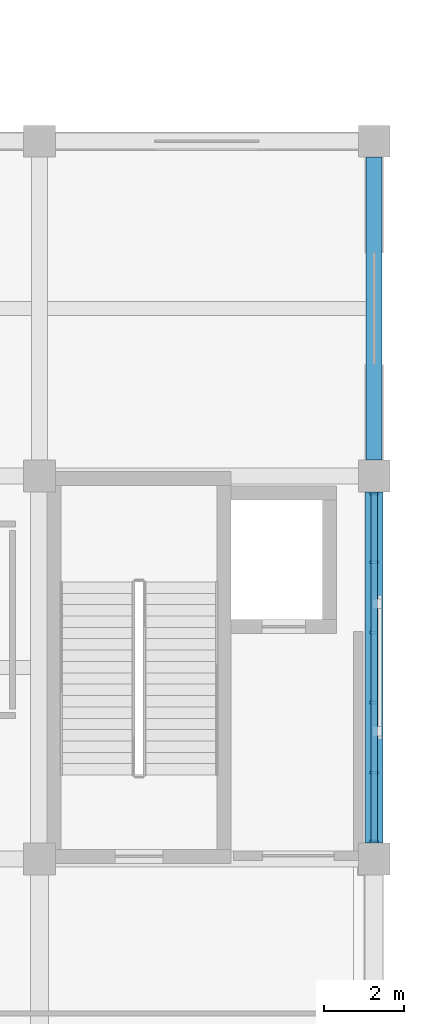
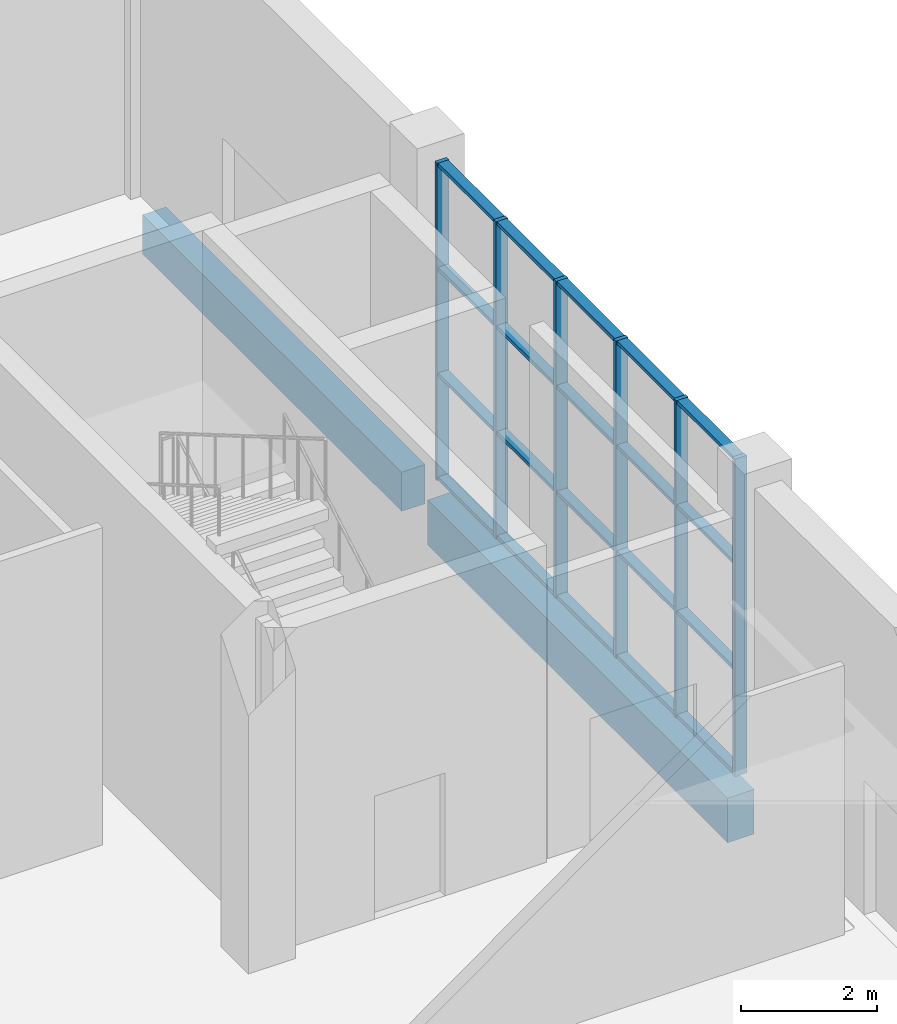
# One storey, part 37 of 84: 10 members, 2 beams, 1 element without a shape of its own.
"""IFC4 building model written with IfcOpenShell, lengths in metres."""

from ifc_helpers import new_model, si_unit, direction, frame, origin, origin_2d, place, context, subcontext, project, spatial, rectangle, extrude, material, material_profile, profile_set, type_object, element, aggregate, save


model = new_model("IFC4")

# Units and contexts
model_context = context("Model", 3, precision=1e-05, world=origin(), true_north=direction((0.0, 1.0)))
body_context = subcontext(model_context, "Body", "Model", "MODEL_VIEW")
ifc_project = project(units=[si_unit("LENGTHUNIT", "METRE"), si_unit("AREAUNIT", "SQUARE_METRE"), si_unit("VOLUMEUNIT", "CUBIC_METRE"), si_unit("PLANEANGLEUNIT", "RADIAN"), si_unit("MASSUNIT", "GRAM", prefix="KILO")], contexts=[model_context])

# Site, building, storey
site_placement = place(None, origin())
site = spatial("IfcSite", under=ifc_project, at=site_placement, CompositionType="ELEMENT")
building_placement = place(site_placement, origin())
building = spatial("IfcBuilding", under=site, at=building_placement, Name="Shalvenor Court Art Gallery", CompositionType="ELEMENT")
storey_placement = place(building_placement, origin())
storey = spatial("IfcBuildingStorey", under=building, at=storey_placement, Name="L00", CompositionType="ELEMENT", Elevation=0.0)

# Beams
ifc_material_1 = material(Name="Concrete C40/50", Category="concrete")
ifc_material_profile_1 = material_profile(ifc_material_1, rectangle(XDim=0.449951171875, YDim=0.800048828125, at=origin_2d()), Name="RC 450x800")
ifc_profile_set_1 = profile_set([ifc_material_profile_1], Name="Concrete C40/50")
beam_type_1 = type_object("IfcBeamType", Name="B-03", PredefinedType="BEAM", material=ifc_profile_set_1)
beam_1_placement = place(storey_placement, frame((176.39990234375, 79.60009765625, -0.739990234375), z_axis=(0.0, 1.0, 0.0), x_axis=(-1.0, 0.0, 0.0)))
element("IfcBeam", 1, at=beam_1_placement, inside=storey, type_object=beam_type_1, Name="L00 Girder BM-L00-B-03-0137", PredefinedType="BEAM", context=body_context, shape_type="SweptSolid", body=[
    extrude(rectangle(XDim=0.449951171875, YDim=0.800048828125, at=origin_2d()), origin(), (0.0, 0.0, 1.0), 8.7998046875),
])
ifc_material_2 = material(Name="Concrete C40/50", Category="concrete")
ifc_material_profile_2 = material_profile(ifc_material_2, rectangle(XDim=0.39990234375, YDim=0.699951171875, at=origin_2d()), Name="RC 400x700")
ifc_profile_set_2 = profile_set([ifc_material_profile_2], Name="Concrete C40/50")
beam_type_2 = type_object("IfcBeamType", Name="B-05", PredefinedType="BEAM", material=ifc_profile_set_2)
beam_2_placement = place(storey_placement, frame((176.39990234375, 89.199951171875, -0.68994140625), z_axis=(0.0, 1.0, 0.0), x_axis=(-1.0, 0.0, 0.0)))
element("IfcBeam", 2, at=beam_2_placement, inside=storey, type_object=beam_type_2, Name="L00 Girder BM-L00-B-05-0138", PredefinedType="BEAM", context=body_context, shape_type="SweptSolid", body=[
    extrude(rectangle(XDim=0.39990234375, YDim=0.699951171875, at=origin_2d()), origin(), (0.0, 0.0, 1.0), 7.60009765625),
])

# Curtain wall, members
ifc_material_3 = material(Name="Anodised aluminium and low-iron glass curtain wall", Category="aluminium")
curtain_wall_type = type_object("IfcCurtainWallType", Name="CW-5x3-88-57-222", PredefinedType="USERDEFINED", material=ifc_material_3)
curtain_wall_placement = place(storey_placement, origin())
curtain_wall = element("IfcCurtainWall", 3, at=curtain_wall_placement, inside=storey, type_object=curtain_wall_type, Name="L00 V1 Curtain Wall CW-L00-001", ObjectType="CURTAIN WALL", PredefinedType="USERDEFINED")
ifc_material_4 = material(Name="Anodised aluminium mullion", Category="aluminium")
ifc_material_profile_3 = material_profile(ifc_material_4, rectangle(XDim=0.070068359375, YDim=0.199951171875, at=origin_2d()), Name="CWM-02")
ifc_profile_set_3 = profile_set([ifc_material_profile_3], Name="Anodised aluminium mullion")
member_type_1 = type_object("IfcMemberType", Name="CWM-02", PredefinedType="MULLION", material=ifc_profile_set_3)
member_1_placement = place(storey_placement, frame((176.39990234375, 88.364990234375, 0.0), z_axis=(0.0, 0.0, 1.0), x_axis=(0.0, -1.0, 0.0)))
member_1 = element("IfcMember", 4, at=member_1_placement, type_object=member_type_1, Name="CW-5x3-88-57-222 mullion 1", PredefinedType="MULLION", context=body_context, shape_type="SweptSolid", body=[
    extrude(rectangle(XDim=0.070068359375, YDim=0.199951171875, at=origin_2d()), origin(), (0.0, 0.0, 1.0), 5.679931640625),
])
member_2_placement = place(storey_placement, frame((176.39990234375, 86.639892578125, 0.0), z_axis=(0.0, 0.0, 1.0), x_axis=(0.0, -1.0, 0.0)))
member_2 = element("IfcMember", 5, at=member_2_placement, type_object=member_type_1, Name="CW-5x3-88-57-222 mullion 2", PredefinedType="MULLION", context=body_context, shape_type="SweptSolid", body=[
    extrude(rectangle(XDim=0.070068359375, YDim=0.199951171875, at=origin_2d()), origin(), (0.0, 0.0, 1.0), 5.679931640625),
])
member_3_placement = place(storey_placement, frame((176.39990234375, 84.8798828125, 0.0), z_axis=(0.0, 0.0, 1.0), x_axis=(0.0, -1.0, 0.0)))
member_3 = element("IfcMember", 6, at=member_3_placement, type_object=member_type_1, Name="CW-5x3-88-57-222 mullion 3", PredefinedType="MULLION", context=body_context, shape_type="SweptSolid", body=[
    extrude(rectangle(XDim=0.070068359375, YDim=0.199951171875, at=origin_2d()), origin(), (0.0, 0.0, 1.0), 5.679931640625),
])
member_4_placement = place(storey_placement, frame((176.39990234375, 83.1201171875, 0.0), z_axis=(0.0, 0.0, 1.0), x_axis=(0.0, -1.0, 0.0)))
member_4 = element("IfcMember", 7, at=member_4_placement, type_object=member_type_1, Name="CW-5x3-88-57-222 mullion 4", PredefinedType="MULLION", context=body_context, shape_type="SweptSolid", body=[
    extrude(rectangle(XDim=0.070068359375, YDim=0.199951171875, at=origin_2d()), origin(), (0.0, 0.0, 1.0), 5.679931640625),
])
member_5_placement = place(storey_placement, frame((176.39990234375, 81.360107421875, 0.0), z_axis=(0.0, 0.0, 1.0), x_axis=(0.0, -1.0, 0.0)))
member_5 = element("IfcMember", 8, at=member_5_placement, type_object=member_type_1, Name="CW-5x3-88-57-222 mullion 5", PredefinedType="MULLION", context=body_context, shape_type="SweptSolid", body=[
    extrude(rectangle(XDim=0.070068359375, YDim=0.199951171875, at=origin_2d()), origin(), (0.0, 0.0, 1.0), 5.679931640625),
])
member_6_placement = place(storey_placement, frame((176.39990234375, 79.635009765625, 0.0), z_axis=(0.0, 0.0, 1.0), x_axis=(0.0, -1.0, 0.0)))
member_6 = element("IfcMember", 9, at=member_6_placement, type_object=member_type_1, Name="CW-5x3-88-57-222 mullion 6", PredefinedType="MULLION", context=body_context, shape_type="SweptSolid", body=[
    extrude(rectangle(XDim=0.070068359375, YDim=0.199951171875, at=origin_2d()), origin(), (0.0, 0.0, 1.0), 5.679931640625),
])
ifc_material_5 = material(Name="Anodised aluminium transom", Category="aluminium")
ifc_material_profile_4 = material_profile(ifc_material_5, rectangle(XDim=0.169921875, YDim=0.06494140625, at=origin_2d()), Name="CWT-02")
ifc_profile_set_4 = profile_set([ifc_material_profile_4], Name="Anodised aluminium transom")
member_type_2 = type_object("IfcMemberType", Name="CWT-02", PredefinedType="USERDEFINED", material=ifc_profile_set_4)
member_7_placement = place(storey_placement, frame((176.39990234375, 88.364990234375, 0.032470703125), z_axis=(0.0, -1.0, 0.0), x_axis=(1.0, 0.0, 0.0)))
member_7 = element("IfcMember", 10, at=member_7_placement, type_object=member_type_2, Name="CW-5x3-88-57-222 transom 1", ObjectType="TRANSOM", PredefinedType="USERDEFINED", context=body_context, shape_type="SweptSolid", body=[
    extrude(rectangle(XDim=0.169921875, YDim=0.06494140625, at=origin_2d()), origin(), (0.0, 0.0, 1.0), 8.72998046875),
])
member_8_placement = place(storey_placement, frame((176.39990234375, 88.364990234375, 1.893310546875), z_axis=(0.0, -1.0, 0.0), x_axis=(1.0, 0.0, 0.0)))
member_8 = element("IfcMember", 11, at=member_8_placement, type_object=member_type_2, Name="CW-5x3-88-57-222 transom 2", ObjectType="TRANSOM", PredefinedType="USERDEFINED", context=body_context, shape_type="SweptSolid", body=[
    extrude(rectangle(XDim=0.169921875, YDim=0.06494140625, at=origin_2d()), origin(), (0.0, 0.0, 1.0), 8.72998046875),
])
member_9_placement = place(storey_placement, frame((176.39990234375, 88.364990234375, 3.78662109375), z_axis=(0.0, -1.0, 0.0), x_axis=(1.0, 0.0, 0.0)))
member_9 = element("IfcMember", 12, at=member_9_placement, type_object=member_type_2, Name="CW-5x3-88-57-222 transom 3", ObjectType="TRANSOM", PredefinedType="USERDEFINED", context=body_context, shape_type="SweptSolid", body=[
    extrude(rectangle(XDim=0.169921875, YDim=0.06494140625, at=origin_2d()), origin(), (0.0, 0.0, 1.0), 8.72998046875),
])
member_10_placement = place(storey_placement, frame((176.39990234375, 88.364990234375, 5.6474609375), z_axis=(0.0, -1.0, 0.0), x_axis=(1.0, 0.0, 0.0)))
member_10 = element("IfcMember", 13, at=member_10_placement, type_object=member_type_2, Name="CW-5x3-88-57-222 transom 4", ObjectType="TRANSOM", PredefinedType="USERDEFINED", context=body_context, shape_type="SweptSolid", body=[
    extrude(rectangle(XDim=0.169921875, YDim=0.06494140625, at=origin_2d()), origin(), (0.0, 0.0, 1.0), 8.72998046875),
])
aggregate(curtain_wall, [member_1, member_2, member_3, member_4, member_5, member_6, member_7, member_8, member_9, member_10])

save(model, "model.ifc")
